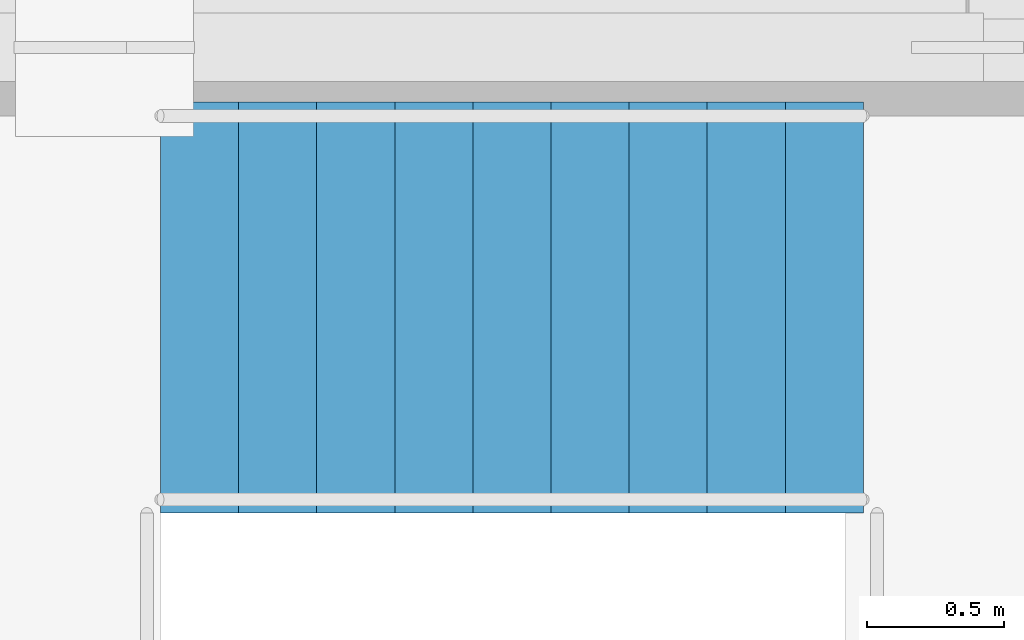
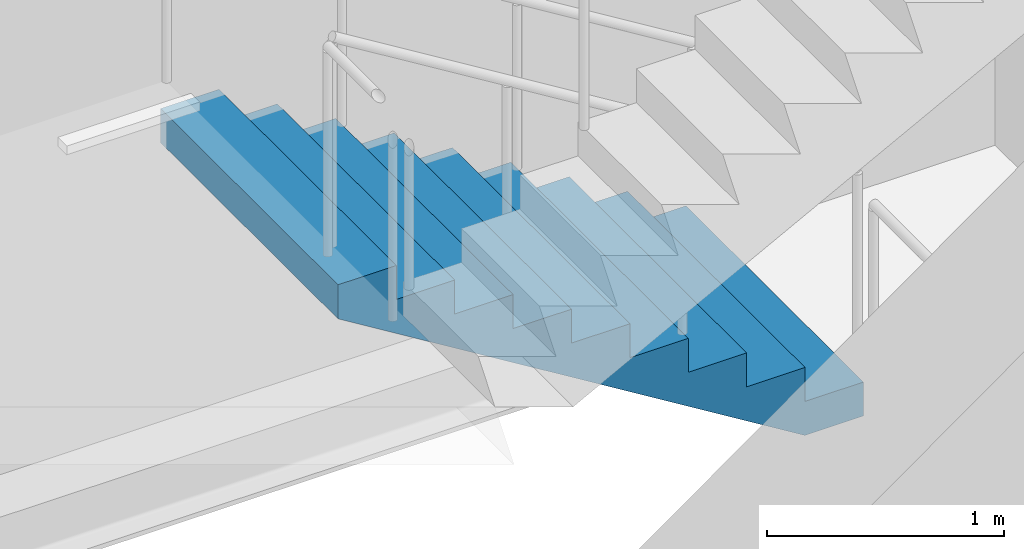
# One storey, part 22 of 23: 1 stair flight, 1 element without a shape of its own.
"""IFC4 building model written with IfcOpenShell, lengths in metres."""

import ifcopenshell
import ifcopenshell.guid

model = None  # the IFC model being written
_history = None  # IfcOwnerHistory: only IFC2X3 demands one
_inside = {}  # id of a spatial element -> (the spatial element, [elements in it])
_under = {}  # id of a project, library or spatial element -> (it, [spatial elements below it])
_declared = {}  # id of a project -> (the project, [libraries it declares])
_typed = {}  # id of a type object -> (the type object, [elements of that type])
_made_of = {}  # id of a material, layer set ... -> (it, [elements and type objects made of it])


def new_model(schema):
    """Start an empty IFC model of exactly this schema.

    Asked for "IFC4X3", IfcOpenShell would pick the latest addendum, in which some entities
    have other attributes; the version numbers below select the first issue.
    IFC2X3 requires an IfcOwnerHistory on every rooted entity: one is made here for all.
    """
    global model, _history
    if schema == "IFC4X3":
        model = ifcopenshell.file(schema_version=(4, 3, 0, 0))
    else:
        model = ifcopenshell.file(schema=schema)
    _inside.clear()
    _under.clear()
    _declared.clear()
    _typed.clear()
    _made_of.clear()
    _history = None
    if model.schema == "IFC2X3":
        org = make("IfcOrganization", Name="unknown")
        user = make(
            "IfcPersonAndOrganization",
            ThePerson=make("IfcPerson", FamilyName="unknown"),
            TheOrganization=org,
        )
        app = make(
            "IfcApplication",
            ApplicationDeveloper=org,
            Version="unknown",
            ApplicationFullName="unknown",
            ApplicationIdentifier="unknown",
        )
        _history = make(
            "IfcOwnerHistory",
            OwningUser=user,
            OwningApplication=app,
            ChangeAction="ADDED",
            CreationDate=0,
        )
    return model


def make(cls, **values):
    """One entity of the class cls with the attributes given. An attribute that is None is left unset."""
    return model.create_entity(
        cls, **{name: value for name, value in values.items() if value is not None}
    )


def rooted(cls, **values):
    """An entity with a GlobalId (a new one), such as an element, a storey or a relation."""
    return make(cls, GlobalId=ifcopenshell.guid.new(), OwnerHistory=_history, **values)


def si_unit(unit_type, name, prefix=None):
    """IfcSIUnit, for example si_unit("LENGTHUNIT", "METRE", prefix="MILLI")."""
    return make("IfcSIUnit", UnitType=unit_type, Prefix=prefix, Name=name)


def assignment(units):
    """IfcUnitAssignment: the units of a project."""
    return None if units is None else make("IfcUnitAssignment", Units=units)


def point(xyz):
    """IfcCartesianPoint."""
    return None if xyz is None else make("IfcCartesianPoint", Coordinates=xyz)


def direction(xyz):
    """IfcDirection."""
    return None if xyz is None else make("IfcDirection", DirectionRatios=xyz)


def frame(location, z_axis=None, x_axis=None):
    """IfcAxis2Placement3D, a coordinate frame: its origin and axes. An axis left out is left unset."""
    return make(
        "IfcAxis2Placement3D",
        Location=point(location),
        Axis=direction(z_axis),
        RefDirection=direction(x_axis),
    )


def origin():
    """The frame at (0, 0, 0) with its axes left unset."""
    return frame((0.0, 0.0, 0.0))


def place(relative_to, where):
    """IfcLocalPlacement: puts the frame where relative to a parent placement (None: the world)."""
    return make(
        "IfcLocalPlacement", PlacementRelTo=relative_to, RelativePlacement=where
    )


def context(
    kind, dimensions, precision=None, world=None, true_north=None, identifier=None
):
    """IfcGeometricRepresentationContext, for example the 3D "Model" context."""
    return make(
        "IfcGeometricRepresentationContext",
        ContextIdentifier=identifier,
        ContextType=kind,
        CoordinateSpaceDimension=dimensions,
        Precision=precision,
        WorldCoordinateSystem=world,
        TrueNorth=true_north,
    )


def subcontext(parent, identifier, kind, view, scale=None):
    """IfcGeometricRepresentationSubContext, for example "Body" below "Model"."""
    return make(
        "IfcGeometricRepresentationSubContext",
        ContextIdentifier=identifier,
        ContextType=kind,
        ParentContext=parent,
        TargetScale=scale,
        TargetView=view,
    )


def project(units=None, contexts=None):
    """IfcProject with its units and contexts."""
    return rooted(
        "IfcProject",
        Name="project",
        RepresentationContexts=contexts,
        UnitsInContext=assignment(units),
    )


def spatial(cls, under=None, at=None, **own):
    """A site, building, storey or space (cls), placed at a placement, below another one or the project."""
    s = rooted(cls, ObjectPlacement=at, **own)
    if under is not None:
        _under.setdefault(under.id(), (under, []))[1].append(s)
    return s


def polyline(points):
    """IfcPolyline through the points."""
    return make("IfcPolyline", Points=[point(p) for p in points])


def outline(outer, holes=None, kind="AREA"):
    """IfcArbitraryClosedProfileDef: a profile drawn as a closed curve; with holes, ...WithVoids."""
    if holes is None:
        return make("IfcArbitraryClosedProfileDef", ProfileType=kind, OuterCurve=outer)
    return make(
        "IfcArbitraryProfileDefWithVoids",
        ProfileType=kind,
        OuterCurve=outer,
        InnerCurves=holes,
    )


def extrude(swept, where, along, depth):
    """IfcExtrudedAreaSolid: the profile swept, set in the frame where, extruded along a direction by depth."""
    return make(
        "IfcExtrudedAreaSolid",
        SweptArea=swept,
        Position=where,
        ExtrudedDirection=direction(along),
        Depth=depth,
    )


def shape(context_of_items, identifier, shape_type, items):
    """IfcShapeRepresentation: the items that make up one representation, for example the "Body"."""
    return make(
        "IfcShapeRepresentation",
        ContextOfItems=context_of_items,
        RepresentationIdentifier=identifier,
        RepresentationType=shape_type,
        Items=items,
    )


def material(Name=None, Category=None):
    """IfcMaterial."""
    return make("IfcMaterial", Name=Name, Category=Category)


def made_of(thing, what):
    """Note that an element or type object is made of a material, layer set ...; save() writes the relation."""
    if what is not None:
        _made_of.setdefault(what.id(), (what, []))[1].append(thing)
    return thing


def type_object(cls, material=None, **own):
    """A type object (cls), such as IfcWallType, which elements share."""
    return made_of(rooted(cls, **own), material)


def element(
    cls,
    number,
    at=None,
    inside=None,
    cuts=None,
    type_object=None,
    material=None,
    context=None,
    identifier="Body",
    shape_type=None,
    held_by="IfcProductDefinitionShape",
    body=None,
    shapes=None,
    **own,
):
    """One element of the class cls, such as IfcWall. Its Tag is "e" and its number.

    at: its placement. inside: the storey or other place that contains it. cuts: it is an
    opening in that element (IfcRelVoidsElement). A single representation is given by context,
    identifier, shape_type and body (its items); several are given by shapes. held_by: the class
    of the entity that holds the representations. save() writes the other relations.
    """
    e = rooted(cls, Tag="e%d" % number, ObjectPlacement=at, **own)
    if body is not None:
        shapes = [shape(context, identifier, shape_type, body)]
    if shapes is not None:
        e.Representation = make(held_by, Representations=shapes)
    if inside is not None:
        _inside.setdefault(inside.id(), (inside, []))[1].append(e)
    if cuts is not None:
        rooted(
            "IfcRelVoidsElement", RelatingBuildingElement=cuts, RelatedOpeningElement=e
        )
    if type_object is not None:
        _typed.setdefault(type_object.id(), (type_object, []))[1].append(e)
    return made_of(e, material)


def aggregate(whole, parts):
    """IfcRelAggregates: a whole, such as a stair, and the parts it consists of."""
    return rooted("IfcRelAggregates", RelatingObject=whole, RelatedObjects=parts)


def save(model, path):
    """Write the relations noted so far, then the file.

    IfcRelAggregates (storeys below a building ...), IfcRelContainedInSpatialStructure (elements
    in a storey), IfcRelDefinesByType, IfcRelAssociatesMaterial and IfcRelDeclares: one each for
    every whole, place, type object, material and project.
    """
    for whole, parts in _under.values():
        aggregate(whole, parts)
    for where, things in _inside.values():
        rooted(
            "IfcRelContainedInSpatialStructure",
            RelatedElements=things,
            RelatingStructure=where,
        )
    for kind, things in _typed.values():
        rooted("IfcRelDefinesByType", RelatedObjects=things, RelatingType=kind)
    for what, things in _made_of.values():
        rooted("IfcRelAssociatesMaterial", RelatedObjects=things, RelatingMaterial=what)
    for by, libraries in _declared.values():
        rooted("IfcRelDeclares", RelatingContext=by, RelatedDefinitions=libraries)
    model.write(path)


model = new_model("IFC4")

# Units and contexts
model_context = context("Model", 3, precision=1e-05, world=origin(), true_north=direction((0.0, 1.0)))
body_context = subcontext(model_context, "Body", "Model", "MODEL_VIEW")
ifc_project = project(units=[si_unit("LENGTHUNIT", "METRE"), si_unit("AREAUNIT", "SQUARE_METRE"), si_unit("VOLUMEUNIT", "CUBIC_METRE"), si_unit("PLANEANGLEUNIT", "RADIAN"), si_unit("MASSUNIT", "GRAM", prefix="KILO")], contexts=[model_context])

# Site, building, storey
site_placement = place(None, origin())
site = spatial("IfcSite", under=ifc_project, at=site_placement, CompositionType="ELEMENT")
building_placement = place(site_placement, origin())
building = spatial("IfcBuilding", under=site, at=building_placement, Name="Cobrela Telecom Tower", CompositionType="ELEMENT")
storey_placement = place(building_placement, frame((0.0, 0.0, 283.14990234375)))
storey = spatial("IfcBuildingStorey", under=building, at=storey_placement, Name="L74", CompositionType="ELEMENT", Elevation=283.14990234375)

# Stair, stair flight
ifc_material = material(Name="Concrete C40/50", Category="concrete")
stair_type = type_object("IfcStairType", Name="STAIR-CORE", PredefinedType="HALF_TURN_STAIR", material=ifc_material)
stair_placement = place(storey_placement, origin())
stair = element("IfcStair", 1, at=stair_placement, inside=storey, type_object=stair_type, Name="L74 Smokeproof Exit Stair ST1", PredefinedType="HALF_TURN_STAIR")
stair_flight_type = type_object("IfcStairFlightType", Name="FLIGHT-CORE", PredefinedType="STRAIGHT", material=ifc_material)
stair_flight_placement = place(storey_placement, frame((6.820068359375, 34.800048828125, 0.0), z_axis=(0.0, 0.0, 1.0), x_axis=(-1.0, 0.0, 0.0)))
stair_flight = element("IfcStairFlight", 2, at=stair_flight_placement, type_object=stair_flight_type, Name="ST1 flight 1", NumberOfRisers=10, NumberOfTreads=9, PredefinedType="STRAIGHT", RiserHeight=0.175, TreadLength=0.285, context=body_context, shape_type="SweptSolid", body=[
    extrude(outline(polyline([(0.0, 0.0), (0.0, 0.175048828125), (0.284912109375, 0.175048828125), (0.284912109375, 0.35009765625), (0.570068359375, 0.35009765625), (0.570068359375, 0.52490234375), (0.85498046875, 0.52490234375), (0.85498046875, 0.699951171875), (1.139892578125, 0.699951171875), (1.139892578125, 0.875), (1.425048828125, 0.875), (1.425048828125, 1.050048828125), (1.7099609375, 1.050048828125), (1.7099609375, 1.22509765625), (1.9951171875, 1.22509765625), (1.9951171875, 1.39990234375), (2.280029296875, 1.39990234375), (2.280029296875, 1.574951171875), (2.56494140625, 1.574951171875), (2.56494140625, 1.75), (2.56494140625, 1.399169921875), (0.286376953125, 0.0), (0.0, 0.0)])), frame((0.0, 0.75, 0.0), z_axis=(0.0, -1.0, 0.0), x_axis=(1.0, 0.0, 0.0)), (0.0, 0.0, 1.0), 1.5),
])
aggregate(stair, [stair_flight])

save(model, "model.ifc")
